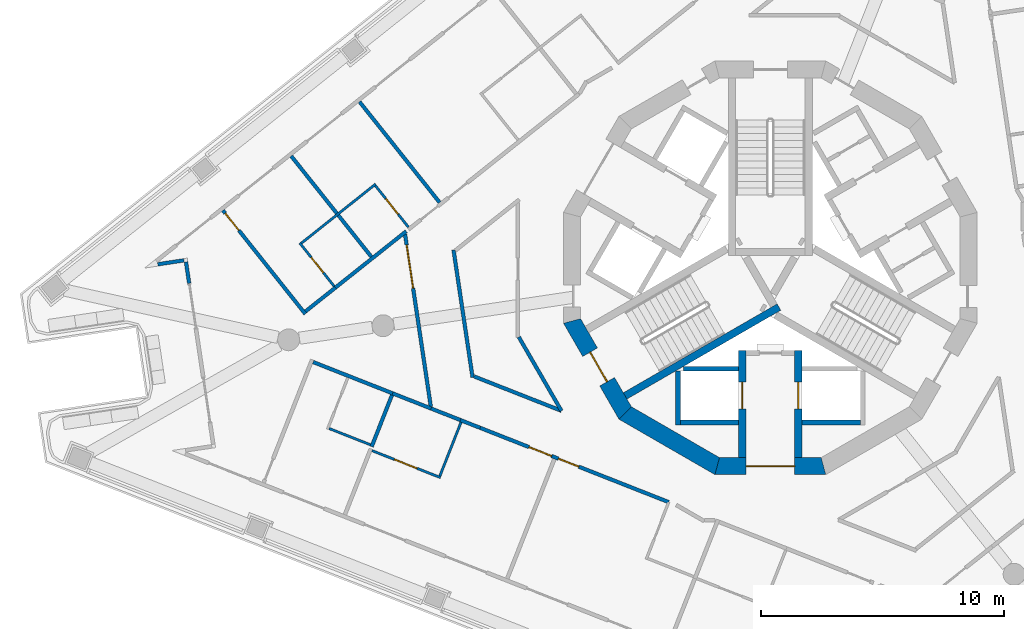
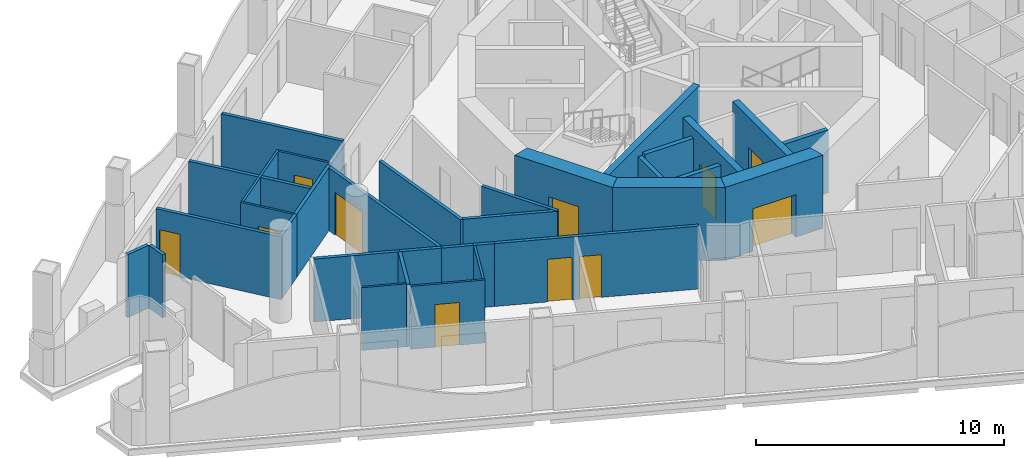
# One storey, part 3 of 16: 33 walls, 11 doors, 11 openings.
"""IFC4 building model written with IfcOpenShell, lengths in metres."""

from ifc_helpers import new_model, si_unit, direction, frame, frame_2d, origin, place, context, subcontext, project, spatial, polyline, rectangle, outline, extrude, material, layer, layer_set, type_object, element, fill, save


model = new_model("IFC4")

# Units and contexts
model_context = context("Model", 3, precision=1e-05, world=origin(), true_north=direction((0.0, 1.0)))
body_context = subcontext(model_context, "Body", "Model", "MODEL_VIEW")
ifc_project = project(units=[si_unit("LENGTHUNIT", "METRE"), si_unit("AREAUNIT", "SQUARE_METRE"), si_unit("VOLUMEUNIT", "CUBIC_METRE"), si_unit("PLANEANGLEUNIT", "RADIAN"), si_unit("MASSUNIT", "GRAM", prefix="KILO")], contexts=[model_context])

# Site, building, storey
site_placement = place(None, origin())
site = spatial("IfcSite", under=ifc_project, at=site_placement, CompositionType="ELEMENT")
building_placement = place(site_placement, origin())
building = spatial("IfcBuilding", under=site, at=building_placement, Name="Trine Commons Tower", CompositionType="ELEMENT")
storey_placement = place(building_placement, frame((0.0, 0.0, 226.800048828125)))
storey = spatial("IfcBuildingStorey", under=building, at=storey_placement, Name="L59", CompositionType="ELEMENT", Elevation=226.800048828125)

# Walls
ifc_material_1 = material(Name="Aluminium-framed insulated wall panel", Category="aluminium")
ifc_layer_1 = layer(ifc_material_1, 0.14990234375)
ifc_layer_set_1 = layer_set([ifc_layer_1], Name="Aluminium-framed insulated wall panel")
wall_type_1 = type_object("IfcWallType", Name="Glazed frame wall 150, EI 60", PredefinedType="SOLIDWALL", material=ifc_layer_set_1)
wall_1_placement = place(storey_placement, frame((56.115966796875, 61.86279296875, 0.0), z_axis=(0.0, 0.0, 1.0), x_axis=(-0.147946480694, 0.988995368468, 0.0)))
element("IfcWall", 1, at=wall_1_placement, inside=storey, type_object=wall_type_1, Name="Glazed frame wall P3.5", PredefinedType="SOLIDWALL", context=body_context, shape_type="SweptSolid", body=[
    extrude(outline(polyline([(0.889892578125, 0.074951171875), (0.0, 0.074951171875), (0.0, -0.074951171875), (0.889892578125, -0.074951171875), (0.889892578125, 0.074951171875)])), origin(), (0.0, 0.0, 1.0), 3.099853515625),
])
wall_2_placement = place(storey_placement, frame((56.0078125, 62.822265625, 0.0), z_axis=(0.0, 0.0, 1.0), x_axis=(-0.98902141065, -0.147772288596, 0.0)))
element("IfcWall", 2, at=wall_2_placement, inside=storey, type_object=wall_type_1, Name="Glazed frame wall R12", PredefinedType="SOLIDWALL", context=body_context, shape_type="SweptSolid", body=[
    extrude(outline(polyline([(0.110107421875, 0.074951171875), (0.110107421875, -0.074951171875), (1.19580078125, -0.074951171875), (1.19580078125, 0.074951171875), (0.110107421875, 0.074951171875)])), origin(), (0.0, 0.0, 1.0), 3.099853515625),
])

# Wall, opening, door
ifc_material_2 = material(Name="Concrete C60/75", Category="concrete")
ifc_layer_2 = layer(ifc_material_2, 0.300048828125)
ifc_layer_set_2 = layer_set([ifc_layer_2], Name="Concrete C60/75")
wall_type_2 = type_object("IfcWallType", Name="RC shear wall 300 mm, C60/75", PredefinedType="SHEAR", material=ifc_layer_set_2)
wall_3_placement = place(storey_placement, frame((78.85009765625, 59.10009765625, 0.0), z_axis=(0.0, 0.0, 1.0), x_axis=(0.0, -1.0, 0.0)))
wall_3 = element("IfcWall", 3, at=wall_3_placement, inside=storey, type_object=wall_type_2, Name="Core cross wall SWC-03 L59", PredefinedType="SHEAR", context=body_context, shape_type="SweptSolid", body=[
    extrude(rectangle(XDim=4.400146484375, YDim=0.300048828125, at=frame_2d((2.2001953125, 0.0))), origin(), (0.0, 0.0, 1.0), 3.599853515625),
])
opening_1_placement = place(wall_3_placement, frame((1.300048828125, 0.0, 0.0)))
opening_1 = element("IfcOpeningElement", 4, at=opening_1_placement, cuts=wall_3, Name="Opening LD10", PredefinedType="OPENING", context=body_context, shape_type="SweptSolid", body=[
    extrude(rectangle(XDim=1.10009765625, YDim=2.10009765625, at=frame_2d((0.550048828125, 1.050048828125))), frame((0.0, 0.159912109375, 0.0), z_axis=(0.0, -1.0, 0.0), x_axis=(1.0, 0.0, 0.0)), (0.0, 0.0, 1.0), 0.320068359375),
])
ifc_material_3 = material(Name="Stainless steel sliding door leaves", Category="steel")
door_type_1 = type_object("IfcDoorType", Name="Lift landing door, centre-opening sliding 1100 x 2100, FD90", OperationType="DOUBLE_DOOR_SLIDING", PredefinedType="DOOR", material=ifc_material_3)
door_1_placement = place(opening_1_placement, origin())
door_1 = element("IfcDoor", 5, at=door_1_placement, inside=storey, type_object=door_type_1, Name="Lift landing door FF2 L59", OperationType="DOUBLE_DOOR_SLIDING", OverallHeight=2.10009765625, OverallWidth=1.10009765625, PredefinedType="DOOR", context=body_context, shape_type="SweptSolid", body=[
    extrude(rectangle(XDim=1.10009765625, YDim=2.10009765625, at=frame_2d((0.550048828125, 1.050048828125))), frame((0.0, 0.02490234375, 0.0), z_axis=(0.0, -1.0, 0.0), x_axis=(1.0, 0.0, 0.0)), (0.0, 0.0, 1.0), 0.050048828125),
])
fill(opening_1, door_1)

wall_4_placement = place(storey_placement, frame((81.14990234375, 59.10009765625, 0.0), z_axis=(0.0, 0.0, 1.0), x_axis=(0.0, -1.0, 0.0)))
wall_4 = element("IfcWall", 6, at=wall_4_placement, inside=storey, type_object=wall_type_2, Name="Core cross wall SWC-04 L59", PredefinedType="SHEAR", context=body_context, shape_type="SweptSolid", body=[
    extrude(rectangle(XDim=4.400146484375, YDim=0.300048828125, at=frame_2d((2.2001953125, 0.0))), origin(), (0.0, 0.0, 1.0), 3.599853515625),
])
opening_2_placement = place(wall_4_placement, frame((1.300048828125, 0.0, 0.0)))
opening_2 = element("IfcOpeningElement", 7, at=opening_2_placement, cuts=wall_4, Name="Opening LD9", PredefinedType="OPENING", context=body_context, shape_type="SweptSolid", body=[
    extrude(rectangle(XDim=1.10009765625, YDim=2.10009765625, at=frame_2d((0.550048828125, 1.050048828125))), frame((0.0, 0.159912109375, 0.0), z_axis=(0.0, -1.0, 0.0), x_axis=(1.0, 0.0, 0.0)), (0.0, 0.0, 1.0), 0.320068359375),
])
door_2_placement = place(opening_2_placement, origin())
door_2 = element("IfcDoor", 8, at=door_2_placement, inside=storey, type_object=door_type_1, Name="Lift landing door FF1 L59", OperationType="DOUBLE_DOOR_SLIDING", OverallHeight=2.10009765625, OverallWidth=1.10009765625, PredefinedType="DOOR", context=body_context, shape_type="SweptSolid", body=[
    extrude(rectangle(XDim=1.10009765625, YDim=2.10009765625, at=frame_2d((0.550048828125, 1.050048828125))), frame((0.0, 0.02490234375, 0.0), z_axis=(0.0, -1.0, 0.0), x_axis=(1.0, 0.0, 0.0)), (0.0, 0.0, 1.0), 0.050048828125),
])
fill(opening_2, door_2)

# Wall
wall_5_placement = place(storey_placement, frame((80.35400390625, 60.885986328125, 0.0), z_axis=(0.0, 0.0, 1.0), x_axis=(-0.866032430508, -0.49998782916, 0.0)))
element("IfcWall", 9, at=wall_5_placement, inside=storey, type_object=wall_type_2, Name="Core cross wall SWC-14 L59", PredefinedType="SHEAR", context=body_context, shape_type="SweptSolid", body=[
    extrude(rectangle(XDim=7.300048828125, YDim=0.300048828125, at=frame_2d((3.64990234375, 0.0))), origin(), (0.0, 0.0, 1.0), 3.599853515625),
])

# Wall, opening, door
ifc_layer_3 = layer(ifc_material_2, 0.699951171875)
ifc_layer_set_3 = layer_set([ifc_layer_3], Name="Concrete C60/75")
wall_type_3 = type_object("IfcWallType", Name="RC shear wall 700 mm, C60/75", PredefinedType="SHEAR", material=ifc_layer_set_3)
wall_6_placement = place(storey_placement, frame((71.802978515625, 60.3974609375, 0.0), z_axis=(0.0, 0.0, 1.0), x_axis=(0.499983800959, -0.866034756103, 0.0)))
wall_6 = element("IfcWall", 10, at=wall_6_placement, inside=storey, type_object=wall_type_3, Name="Core wall CWF-08 L59", PredefinedType="SHEAR", context=body_context, shape_type="SweptSolid", body=[
    extrude(outline(polyline([(0.0, -0.35009765625), (4.55517578125, -0.35009765625), (4.36767578125, 0.35009765625), (0.1875, 0.35009765625), (0.0, -0.35009765625)])), origin(), (0.0, 0.0, 1.0), 3.599853515625),
])
opening_3_placement = place(wall_6_placement, frame((1.577392578125, 0.0, 0.0)))
opening_3 = element("IfcOpeningElement", 11, at=opening_3_placement, cuts=wall_6, Name="Opening K15.02", PredefinedType="OPENING", context=body_context, shape_type="SweptSolid", body=[
    extrude(rectangle(XDim=1.39990234375, YDim=2.10009765625, at=frame_2d((0.699951171875, 1.050048828125))), frame((0.0, 0.35986328125, 0.0), z_axis=(0.0, -1.0, 0.0), x_axis=(1.0, 0.0, 0.0)), (0.0, 0.0, 1.0), 0.719970703125),
])
ifc_material_4 = material(Name="Steel door leaves, fire-rated", Category="steel")
door_type_2 = type_object("IfcDoorType", Name="Stair door, double leaf 1400 x 2100, FD90", OperationType="DOUBLE_DOOR_SINGLE_SWING", PredefinedType="DOOR", material=ifc_material_4)
door_3_placement = place(opening_3_placement, origin())
door_3 = element("IfcDoor", 12, at=door_3_placement, inside=storey, type_object=door_type_2, Name="Stair door to Exit stair ST2C L59", OperationType="DOUBLE_DOOR_SINGLE_SWING", OverallHeight=2.10009765625, OverallWidth=1.39990234375, PredefinedType="DOOR", context=body_context, shape_type="SweptSolid", body=[
    extrude(rectangle(XDim=1.39990234375, YDim=2.10009765625, at=frame_2d((0.699951171875, 1.050048828125))), frame((0.0, 0.02490234375, 0.0), z_axis=(0.0, -1.0, 0.0), x_axis=(1.0, 0.0, 0.0)), (0.0, 0.0, 1.0), 0.050048828125),
])
fill(opening_3, door_3)

# Wall
wall_7_placement = place(storey_placement, frame((73.952392578125, 56.58056640625, 0.0), z_axis=(0.0, 0.0, 1.0), x_axis=(0.866034756103, -0.499983800959, 0.0)))
element("IfcWall", 13, at=wall_7_placement, inside=storey, type_object=wall_type_3, Name="Core wall CWF-09 L59", PredefinedType="SHEAR", context=body_context, shape_type="SweptSolid", body=[
    extrude(outline(polyline([(0.0, -0.35009765625), (4.55517578125, -0.35009765625), (4.36767578125, 0.35009765625), (0.1875, 0.35009765625), (0.0, -0.35009765625)])), origin(), (0.0, 0.0, 1.0), 3.599853515625),
])

# Wall, opening, door
wall_8_placement = place(storey_placement, frame((77.722412109375, 54.349853515625, 0.0), z_axis=(0.0, 0.0, 1.0), x_axis=(1.0, 0.0, 0.0)))
wall_8 = element("IfcWall", 14, at=wall_8_placement, inside=storey, type_object=wall_type_3, Name="Core wall CWF-10 L59", PredefinedType="SHEAR", context=body_context, shape_type="SweptSolid", body=[
    extrude(outline(polyline([(0.0, -0.35009765625), (4.55517578125, -0.35009765625), (4.36767578125, 0.35009765625), (0.1875, 0.35009765625), (0.0, -0.35009765625)])), origin(), (0.0, 0.0, 1.0), 3.599853515625),
])
opening_4_placement = place(wall_8_placement, frame((1.277587890625, 0.0, 0.0)))
opening_4 = element("IfcOpeningElement", 15, at=opening_4_placement, cuts=wall_8, Name="Opening K15.08", PredefinedType="OPENING", context=body_context, shape_type="SweptSolid", body=[
    extrude(rectangle(XDim=2.0, YDim=2.10009765625, at=frame_2d((1.0, 1.050048828125))), frame((0.0, 0.35986328125, 0.0), z_axis=(0.0, -1.0, 0.0), x_axis=(1.0, 0.0, 0.0)), (0.0, 0.0, 1.0), 0.719970703125),
])
door_type_3 = type_object("IfcDoorType", Name="Lobby door, double leaf 2000 x 2100, FD60", OperationType="DOUBLE_DOOR_SINGLE_SWING", PredefinedType="DOOR", material=ifc_material_4)
door_4_placement = place(opening_4_placement, origin())
door_4 = element("IfcDoor", 16, at=door_4_placement, inside=storey, type_object=door_type_3, Name="Lobby door, Service and firefighting lobby L59", OperationType="DOUBLE_DOOR_SINGLE_SWING", OverallHeight=2.10009765625, OverallWidth=2.0, PredefinedType="DOOR", context=body_context, shape_type="SweptSolid", body=[
    extrude(rectangle(XDim=2.0, YDim=2.10009765625, at=frame_2d((1.0, 1.050048828125))), frame((0.0, 0.02490234375, 0.0), z_axis=(0.0, -1.0, 0.0), x_axis=(1.0, 0.0, 0.0)), (0.0, 0.0, 1.0), 0.050048828125),
])
fill(opening_4, door_4)

# Walls
ifc_material_5 = material(Name="Fire-rated gypsum shaft wall system")
ifc_layer_4 = layer(ifc_material_5, 0.199951171875)
ifc_layer_set_4 = layer_set([ifc_layer_4], Name="Fire-rated gypsum shaft wall system")
wall_type_4 = type_object("IfcWallType", Name="Shaft wall 200 mm, EI 120", PredefinedType="PARTITIONING", material=ifc_layer_set_4)
wall_9_placement = place(storey_placement, frame((76.199951171875, 58.257080078125, 0.0), z_axis=(0.0, 0.0, 1.0), x_axis=(0.0, -1.0, 0.0)))
element("IfcWall", 17, at=wall_9_placement, inside=storey, type_object=wall_type_4, Name="Shaft wall L59", PredefinedType="PARTITIONING", context=body_context, shape_type="SweptSolid", body=[
    extrude(rectangle(XDim=2.20703125, YDim=0.199951171875, at=frame_2d((1.103515625, 0.0))), origin(), (0.0, 0.0, 1.0), 3.099853515625),
])
wall_10_placement = place(storey_placement, frame((78.699951171875, 56.14990234375, 0.0), z_axis=(0.0, 0.0, 1.0), x_axis=(-1.0, 0.0, 0.0)))
element("IfcWall", 18, at=wall_10_placement, inside=storey, type_object=wall_type_4, Name="Shaft wall L59", PredefinedType="PARTITIONING", context=body_context, shape_type="SweptSolid", body=[
    extrude(rectangle(XDim=2.39990234375, YDim=0.199951171875, at=frame_2d((1.199951171875, 0.0))), origin(), (0.0, 0.0, 1.0), 3.099853515625),
])
wall_11_placement = place(storey_placement, frame((78.699951171875, 58.35009765625, 0.0), z_axis=(0.0, 0.0, 1.0), x_axis=(-1.0, 0.0, 0.0)))
element("IfcWall", 19, at=wall_11_placement, inside=storey, type_object=wall_type_4, Name="Shaft wall L59", PredefinedType="PARTITIONING", context=body_context, shape_type="SweptSolid", body=[
    extrude(rectangle(XDim=2.264892578125, YDim=0.199951171875, at=frame_2d((1.13232421875, 0.0))), origin(), (0.0, 0.0, 1.0), 3.099853515625),
])
wall_12_placement = place(storey_placement, frame((81.300048828125, 56.14990234375, 0.0), z_axis=(0.0, 0.0, 1.0), x_axis=(1.0, 0.0, 0.0)))
element("IfcWall", 20, at=wall_12_placement, inside=storey, type_object=wall_type_4, Name="Shaft wall L59", PredefinedType="PARTITIONING", context=body_context, shape_type="SweptSolid", body=[
    extrude(rectangle(XDim=2.39990234375, YDim=0.199951171875, at=frame_2d((1.199951171875, 0.0))), origin(), (0.0, 0.0, 1.0), 3.099853515625),
])

# Wall, opening, door
ifc_material_6 = material(Name="Gypsum plasterboard on steel stud", Category="steel")
ifc_layer_5 = layer(ifc_material_6, 0.14990234375)
ifc_layer_set_5 = layer_set([ifc_layer_5], Name="Gypsum plasterboard on steel stud")
wall_type_5 = type_object("IfcWallType", Name="Unit and corridor wall 150 mm, EI 60", PredefinedType="PARTITIONING", material=ifc_layer_set_5)
wall_13_placement = place(storey_placement, frame((57.50390625, 64.858642578125, 0.0), z_axis=(0.0, 0.0, 1.0), x_axis=(0.622567332104, -0.782566238089, 0.0)))
wall_13 = element("IfcWall", 21, at=wall_13_placement, inside=storey, type_object=wall_type_5, Name="Partition 001", PredefinedType="PARTITIONING", context=body_context, shape_type="SweptSolid", body=[
    extrude(rectangle(XDim=5.435302734375, YDim=0.14990234375, at=frame_2d((2.7177734375, 0.0))), origin(), (0.0, 0.0, 1.0), 3.099853515625),
])
opening_5_placement = place(wall_13_placement, frame((0.14990234375, 0.0, 0.0)))
opening_5 = element("IfcOpeningElement", 22, at=opening_5_placement, cuts=wall_13, Name="Opening D-6C05", PredefinedType="OPENING", context=body_context, shape_type="SweptSolid", body=[
    extrude(rectangle(XDim=0.89990234375, YDim=2.10009765625, at=frame_2d((0.449951171875, 1.050048828125))), frame((0.0, 0.0849609375, 0.0), z_axis=(0.0, -1.0, 0.0), x_axis=(1.0, 0.0, 0.0)), (0.0, 0.0, 1.0), 0.169921875),
])
ifc_material_7 = material(Name="Timber fire door set", Category="wood")
door_type_4 = type_object("IfcDoorType", Name="Bedroom door 900 x 2100, FD30S", OperationType="NOTDEFINED", PredefinedType="DOOR", material=ifc_material_7)
door_5_placement = place(opening_5_placement, origin())
door_5 = element("IfcDoor", 23, at=door_5_placement, inside=storey, type_object=door_type_4, Name="Door D-6C05", OperationType="SINGLE_SWING_LEFT", OverallHeight=2.10009765625, OverallWidth=0.89990234375, PredefinedType="DOOR", context=body_context, shape_type="SweptSolid", body=[
    extrude(rectangle(XDim=0.89990234375, YDim=2.10009765625, at=frame_2d((0.449951171875, 1.050048828125))), frame((0.0, 0.02490234375, 0.0), z_axis=(0.0, -1.0, 0.0), x_axis=(1.0, 0.0, 0.0)), (0.0, 0.0, 1.0), 0.050048828125),
])
fill(opening_5, door_5)

# Walls
wall_14_placement = place(storey_placement, frame((60.309814453125, 67.091796875, 0.0), z_axis=(0.0, 0.0, 1.0), x_axis=(0.622585933561, -0.782551439416, 0.0)))
element("IfcWall", 24, at=wall_14_placement, inside=storey, type_object=wall_type_5, Name="Partition 003", PredefinedType="PARTITIONING", context=body_context, shape_type="SweptSolid", body=[
    extrude(rectangle(XDim=5.28515625, YDim=0.14990234375, at=frame_2d((2.642578125, 0.0))), origin(), (0.0, 0.0, 1.0), 3.099853515625),
])
wall_15_placement = place(storey_placement, frame((60.899658203125, 60.710693359375, 0.0), z_axis=(0.0, 0.0, 1.0), x_axis=(0.782464556825, 0.622695123886, 0.0)))
element("IfcWall", 25, at=wall_15_placement, inside=storey, type_object=wall_type_5, Name="Partition 006", PredefinedType="PARTITIONING", context=body_context, shape_type="SweptSolid", body=[
    extrude(rectangle(XDim=1.564697265625, YDim=0.14990234375, at=frame_2d((0.7822265625, 0.0))), origin(), (0.0, 0.0, 1.0), 3.099853515625),
])
wall_16_placement = place(storey_placement, frame((61.210693359375, 58.62646484375, 0.0), z_axis=(0.0, 0.0, 1.0), x_axis=(0.930481659578, -0.36633847899, 0.0)))
element("IfcWall", 26, at=wall_16_placement, inside=storey, type_object=wall_type_5, Name="Partition 007", PredefinedType="PARTITIONING", context=body_context, shape_type="SweptSolid", body=[
    extrude(rectangle(XDim=3.511474609375, YDim=0.14990234375, at=frame_2d((1.755859375, 0.0))), origin(), (0.0, 0.0, 1.0), 3.099853515625),
])
wall_17_placement = place(storey_placement, frame((62.078857421875, 61.64990234375, 0.0), z_axis=(0.0, 0.0, 1.0), x_axis=(0.782650439996, 0.622461475735, 0.0)))
element("IfcWall", 27, at=wall_17_placement, inside=storey, type_object=wall_type_5, Name="Partition 010", PredefinedType="PARTITIONING", context=body_context, shape_type="SweptSolid", body=[
    extrude(rectangle(XDim=3.776611328125, YDim=0.14990234375, at=frame_2d((1.88818359375, 0.0))), origin(), (0.0, 0.0, 1.0), 3.099853515625),
])
wall_18_placement = place(storey_placement, frame((63.116943359375, 69.32373046875, 0.0), z_axis=(0.0, 0.0, 1.0), x_axis=(0.622444463897, -0.782663969634, 0.0)))
element("IfcWall", 28, at=wall_18_placement, inside=storey, type_object=wall_type_5, Name="Partition 012", PredefinedType="PARTITIONING", context=body_context, shape_type="SweptSolid", body=[
    extrude(rectangle(XDim=5.284423828125, YDim=0.14990234375, at=frame_2d((2.64208984375, 0.0))), origin(), (0.0, 0.0, 1.0), 3.099853515625),
])
wall_19_placement = place(storey_placement, frame((63.61474609375, 55.1494140625, 0.0), z_axis=(0.0, 0.0, 1.0), x_axis=(0.366603181912, 0.930377400312, 0.0)))
element("IfcWall", 29, at=wall_19_placement, inside=storey, type_object=wall_type_5, Name="Partition 014", PredefinedType="PARTITIONING", context=body_context, shape_type="SweptSolid", body=[
    extrude(rectangle(XDim=2.279541015625, YDim=0.14990234375, at=frame_2d((1.1396484375, 0.0))), origin(), (0.0, 0.0, 1.0), 3.099853515625),
])
wall_20_placement = place(storey_placement, frame((64.47802734375, 57.340087890625, 0.0), z_axis=(0.0, 0.0, 1.0), x_axis=(0.930289512217, -0.366826148822, 0.0)))
element("IfcWall", 30, at=wall_20_placement, inside=storey, type_object=wall_type_5, Name="Partition 016", PredefinedType="PARTITIONING", context=body_context, shape_type="SweptSolid", body=[
    extrude(rectangle(XDim=1.698486328125, YDim=0.14990234375, at=frame_2d((0.84912109375, 0.0))), origin(), (0.0, 0.0, 1.0), 3.099853515625),
])

# Wall, opening, door
wall_21_placement = place(storey_placement, frame((64.987060546875, 63.8798828125, 0.0), z_axis=(0.0, 0.0, 1.0), x_axis=(0.147865724858, -0.98900744558, 0.0)))
wall_21 = element("IfcWall", 31, at=wall_21_placement, inside=storey, type_object=wall_type_5, Name="Partition 017", PredefinedType="PARTITIONING", context=body_context, shape_type="SweptSolid", body=[
    extrude(rectangle(XDim=7.16748046875, YDim=0.14990234375, at=frame_2d((3.583740234375, 0.0))), origin(), (0.0, 0.0, 1.0), 3.099853515625),
])
opening_6_placement = place(wall_21_placement, frame((0.44677734375, 0.0, 0.0)))
opening_6 = element("IfcOpeningElement", 32, at=opening_6_placement, cuts=wall_21, Name="Opening D-6C03", PredefinedType="OPENING", context=body_context, shape_type="SweptSolid", body=[
    extrude(rectangle(XDim=1.800048828125, YDim=2.10009765625, at=frame_2d((0.89990234375, 1.050048828125))), frame((0.0, 0.0849609375, 0.0), z_axis=(0.0, -1.0, 0.0), x_axis=(1.0, 0.0, 0.0)), (0.0, 0.0, 1.0), 0.169921875),
])
door_type_5 = type_object("IfcDoorType", Name="Cluster entrance door 1800 x 2100, double leaf, FD30S", OperationType="DOUBLE_DOOR_DOUBLE_SWING", PredefinedType="DOOR", material=ifc_material_7)
door_6_placement = place(opening_6_placement, frame((1.800048828125, 0.0, 0.0), z_axis=(0.0, 0.0, 1.0), x_axis=(-1.0, 0.0, 0.0)))
door_6 = element("IfcDoor", 33, at=door_6_placement, inside=storey, type_object=door_type_5, Name="Door D-6C03", OperationType="DOUBLE_DOOR_DOUBLE_SWING", OverallHeight=2.10009765625, OverallWidth=1.800048828125, PredefinedType="DOOR", context=body_context, shape_type="SweptSolid", body=[
    extrude(rectangle(XDim=1.800048828125, YDim=2.10009765625, at=frame_2d((0.89990234375, 1.050048828125))), frame((0.0, 0.02490234375, 0.0), z_axis=(0.0, -1.0, 0.0), x_axis=(1.0, 0.0, 0.0)), (0.0, 0.0, 1.0), 0.050048828125),
])
fill(opening_6, door_6)

# Walls
wall_22_placement = place(storey_placement, frame((66.05810546875, 56.717041015625, 0.0), z_axis=(0.0, 0.0, 1.0), x_axis=(0.930574001854, -0.36610384739, 0.0)))
element("IfcWall", 34, at=wall_22_placement, inside=storey, type_object=wall_type_5, Name="Partition 020", PredefinedType="PARTITIONING", context=body_context, shape_type="SweptSolid", body=[
    extrude(rectangle(XDim=1.35498046875, YDim=0.14990234375, at=frame_2d((0.677490234375, 0.0))), origin(), (0.0, 0.0, 1.0), 3.099853515625),
])
wall_23_placement = place(storey_placement, frame((66.97998046875, 63.234130859375, 0.0), z_axis=(0.0, 0.0, 1.0), x_axis=(0.14773017043, -0.989027702719, 0.0)))
element("IfcWall", 35, at=wall_23_placement, inside=storey, type_object=wall_type_5, Name="Partition 022", PredefinedType="PARTITIONING", context=body_context, shape_type="SweptSolid", body=[
    extrude(rectangle(XDim=5.301513671875, YDim=0.14990234375, at=frame_2d((2.65087890625, 0.0))), origin(), (0.0, 0.0, 1.0), 3.099853515625),
])
wall_24_placement = place(storey_placement, frame((67.264404296875, 56.2412109375, 0.0), z_axis=(0.0, 0.0, 1.0), x_axis=(0.9308062045, -0.365513077281, 0.0)))
element("IfcWall", 36, at=wall_24_placement, inside=storey, type_object=wall_type_5, Name="Partition 024", PredefinedType="PARTITIONING", context=body_context, shape_type="SweptSolid", body=[
    extrude(rectangle(XDim=0.86767578125, YDim=0.14990234375, at=frame_2d((0.433837890625, 0.0))), origin(), (0.0, 0.0, 1.0), 3.099853515625),
])
wall_25_placement = place(storey_placement, frame((67.82177734375, 58.03759765625, 0.0), z_axis=(0.0, 0.0, 1.0), x_axis=(0.930426693307, -0.366478059892, 0.0)))
element("IfcWall", 37, at=wall_25_placement, inside=storey, type_object=wall_type_5, Name="Partition 025", PredefinedType="PARTITIONING", context=body_context, shape_type="SweptSolid", body=[
    extrude(rectangle(XDim=3.85986328125, YDim=0.14990234375, at=frame_2d((1.929931640625, 0.0))), origin(), (0.0, 0.0, 1.0), 3.099853515625),
])

# Wall, openings, doors
wall_26_placement = place(storey_placement, frame((68.072021484375, 55.924072265625, 0.0), z_axis=(0.0, 0.0, 1.0), x_axis=(0.930399311856, -0.366547569216, 0.0)))
wall_26 = element("IfcWall", 38, at=wall_26_placement, inside=storey, type_object=wall_type_5, Name="Partition 026", PredefinedType="PARTITIONING", context=body_context, shape_type="SweptSolid", body=[
    extrude(rectangle(XDim=8.3349609375, YDim=0.14990234375, at=frame_2d((4.16748046875, 0.0))), origin(), (0.0, 0.0, 1.0), 3.099853515625),
])
opening_7_placement = place(wall_26_placement, frame((3.45947265625, 0.0, 0.0)))
opening_7 = element("IfcOpeningElement", 39, at=opening_7_placement, cuts=wall_26, Name="Opening D-6C23", PredefinedType="OPENING", context=body_context, shape_type="SweptSolid", body=[
    extrude(rectangle(XDim=0.89990234375, YDim=2.10009765625, at=frame_2d((0.449951171875, 1.050048828125))), frame((0.0, 0.0849609375, 0.0), z_axis=(0.0, -1.0, 0.0), x_axis=(1.0, 0.0, 0.0)), (0.0, 0.0, 1.0), 0.169921875),
])
opening_8_placement = place(wall_26_placement, frame((2.159423828125, 0.0, 0.0)))
opening_8 = element("IfcOpeningElement", 40, at=opening_8_placement, cuts=wall_26, Name="Opening D-6C24", PredefinedType="OPENING", context=body_context, shape_type="SweptSolid", body=[
    extrude(rectangle(XDim=1.0, YDim=2.10009765625, at=frame_2d((0.5, 1.050048828125))), frame((0.0, 0.0849609375, 0.0), z_axis=(0.0, -1.0, 0.0), x_axis=(1.0, 0.0, 0.0)), (0.0, 0.0, 1.0), 0.169921875),
])
door_type_6 = type_object("IfcDoorType", Name="Bedroom door 1000 x 2100, FD30S", OperationType="NOTDEFINED", PredefinedType="DOOR", material=ifc_material_7)
door_7_placement = place(opening_8_placement, frame((1.0, 0.0, 0.0), z_axis=(0.0, 0.0, 1.0), x_axis=(-1.0, 0.0, 0.0)))
door_7 = element("IfcDoor", 41, at=door_7_placement, inside=storey, type_object=door_type_6, Name="Door D-6C24", OperationType="SINGLE_SWING_RIGHT", OverallHeight=2.10009765625, OverallWidth=1.0, PredefinedType="DOOR", context=body_context, shape_type="SweptSolid", body=[
    extrude(rectangle(XDim=1.0, YDim=2.10009765625, at=frame_2d((0.5, 1.050048828125))), frame((0.0, 0.02490234375, 0.0), z_axis=(0.0, -1.0, 0.0), x_axis=(1.0, 0.0, 0.0)), (0.0, 0.0, 1.0), 0.050048828125),
])
fill(opening_8, door_7)
door_8_placement = place(opening_7_placement, frame((0.89990234375, 0.0, 0.0), z_axis=(0.0, 0.0, 1.0), x_axis=(-1.0, 0.0, 0.0)))
door_8 = element("IfcDoor", 42, at=door_8_placement, inside=storey, type_object=door_type_4, Name="Door D-6C23", OperationType="SINGLE_SWING_RIGHT", OverallHeight=2.10009765625, OverallWidth=0.89990234375, PredefinedType="DOOR", context=body_context, shape_type="SweptSolid", body=[
    extrude(rectangle(XDim=0.89990234375, YDim=2.10009765625, at=frame_2d((0.449951171875, 1.050048828125))), frame((0.0, 0.02490234375, 0.0), z_axis=(0.0, -1.0, 0.0), x_axis=(1.0, 0.0, 0.0)), (0.0, 0.0, 1.0), 0.050048828125),
])
fill(opening_7, door_8)

# Wall
wall_27_placement = place(storey_placement, frame((69.66259765625, 59.655029296875, 0.0), z_axis=(0.0, 0.0, 1.0), x_axis=(0.50005009493, -0.865996479531, 0.0)))
element("IfcWall", 43, at=wall_27_placement, inside=storey, type_object=wall_type_5, Name="Partition 032", PredefinedType="PARTITIONING", context=body_context, shape_type="SweptSolid", body=[
    extrude(rectangle(XDim=3.504638671875, YDim=0.14990234375, at=frame_2d((1.75244140625, 0.0))), origin(), (0.0, 0.0, 1.0), 3.099853515625),
])

# Wall, opening, door
ifc_layer_6 = layer(ifc_material_6, 0.10009765625)
ifc_layer_set_6 = layer_set([ifc_layer_6], Name="Gypsum plasterboard on steel stud")
wall_type_6 = type_object("IfcWallType", Name="Unit partition 100 mm, no rating", PredefinedType="PARTITIONING", material=ifc_layer_set_6)
wall_28_placement = place(storey_placement, frame((60.657958984375, 63.522216796875, 0.0), z_axis=(0.0, 0.0, 1.0), x_axis=(0.622507134747, -0.782614124067, 0.0)))
wall_28 = element("IfcWall", 44, at=wall_28_placement, inside=storey, type_object=wall_type_6, Name="Partition 004", PredefinedType="PARTITIONING", context=body_context, shape_type="SweptSolid", body=[
    extrude(rectangle(XDim=2.275146484375, YDim=0.10009765625, at=frame_2d((1.1376953125, 0.0))), origin(), (0.0, 0.0, 1.0), 3.099853515625),
])
opening_9_placement = place(wall_28_placement, frame((0.7626953125, 0.0, 0.0)))
opening_9 = element("IfcOpeningElement", 45, at=opening_9_placement, cuts=wall_28, Name="Opening D-6C29", PredefinedType="OPENING", context=body_context, shape_type="SweptSolid", body=[
    extrude(rectangle(XDim=0.800048828125, YDim=2.10009765625, at=frame_2d((0.39990234375, 1.050048828125))), frame((0.0, 0.06005859375, 0.0), z_axis=(0.0, -1.0, 0.0), x_axis=(1.0, 0.0, 0.0)), (0.0, 0.0, 1.0), 0.1201171875),
])
ifc_material_8 = material(Name="Painted timber", Category="wood")
door_type_7 = type_object("IfcDoorType", Name="Internal door 800 x 2100, NOT RATED", OperationType="NOTDEFINED", PredefinedType="DOOR", material=ifc_material_8)
door_9_placement = place(opening_9_placement, frame((0.800048828125, 0.0, 0.0), z_axis=(0.0, 0.0, 1.0), x_axis=(-1.0, 0.0, 0.0)))
door_9 = element("IfcDoor", 46, at=door_9_placement, inside=storey, type_object=door_type_7, Name="Door D-6C29", OperationType="SINGLE_SWING_LEFT", OverallHeight=2.10009765625, OverallWidth=0.800048828125, PredefinedType="DOOR", context=body_context, shape_type="SweptSolid", body=[
    extrude(rectangle(XDim=0.800048828125, YDim=2.10009765625, at=frame_2d((0.39990234375, 1.050048828125))), frame((0.0, 0.02490234375, 0.0), z_axis=(0.0, -1.0, 0.0), x_axis=(1.0, 0.0, 0.0)), (0.0, 0.0, 1.0), 0.050048828125),
])
fill(opening_9, door_9)

# Walls
wall_29_placement = place(storey_placement, frame((60.72802734375, 63.51416015625, 0.0), z_axis=(0.0, 0.0, 1.0), x_axis=(0.782569861825, 0.622562777046, 0.0)))
element("IfcWall", 47, at=wall_29_placement, inside=storey, type_object=wall_type_6, Name="Partition 005", PredefinedType="PARTITIONING", context=body_context, shape_type="SweptSolid", body=[
    extrude(rectangle(XDim=3.89990234375, YDim=0.10009765625, at=frame_2d((1.949951171875, 0.0))), origin(), (0.0, 0.0, 1.0), 3.099853515625),
])
wall_30_placement = place(storey_placement, frame((61.866455078125, 55.895751953125, 0.0), z_axis=(0.0, 0.0, 1.0), x_axis=(0.930592094338, -0.366057856022, 0.0)))
element("IfcWall", 48, at=wall_30_placement, inside=storey, type_object=wall_type_6, Name="Partition 009", PredefinedType="PARTITIONING", context=body_context, shape_type="SweptSolid", body=[
    extrude(rectangle(XDim=1.825439453125, YDim=0.10009765625, at=frame_2d((0.91259765625, 0.0))), origin(), (0.0, 0.0, 1.0), 3.099853515625),
])

# Wall, opening, door
wall_31_placement = place(storey_placement, frame((63.630859375, 54.985595703125, 0.0), z_axis=(0.0, 0.0, 1.0), x_axis=(0.930510944634, -0.36626408767, 0.0)))
wall_31 = element("IfcWall", 49, at=wall_31_placement, inside=storey, type_object=wall_type_6, Name="Partition 013", PredefinedType="PARTITIONING", context=body_context, shape_type="SweptSolid", body=[
    extrude(rectangle(XDim=3.02490234375, YDim=0.10009765625, at=frame_2d((1.512451171875, 0.0))), origin(), (0.0, 0.0, 1.0), 3.099853515625),
])
opening_10_placement = place(wall_31_placement, frame((0.9873046875, 0.0, 0.0)))
opening_10 = element("IfcOpeningElement", 50, at=opening_10_placement, cuts=wall_31, Name="Opening D-6C47", PredefinedType="OPENING", context=body_context, shape_type="SweptSolid", body=[
    extrude(rectangle(XDim=1.0, YDim=2.10009765625, at=frame_2d((0.5, 1.050048828125))), frame((0.0, 0.06005859375, 0.0), z_axis=(0.0, -1.0, 0.0), x_axis=(1.0, 0.0, 0.0)), (0.0, 0.0, 1.0), 0.1201171875),
])
door_type_8 = type_object("IfcDoorType", Name="Internal door 1000 x 2100, NOT RATED", OperationType="NOTDEFINED", PredefinedType="DOOR", material=ifc_material_8)
door_10_placement = place(opening_10_placement, frame((1.0, 0.0, 0.0), z_axis=(0.0, 0.0, 1.0), x_axis=(-1.0, 0.0, 0.0)))
door_10 = element("IfcDoor", 51, at=door_10_placement, inside=storey, type_object=door_type_8, Name="Door D-6C47", OperationType="SINGLE_SWING_RIGHT", OverallHeight=2.10009765625, OverallWidth=1.0, PredefinedType="DOOR", context=body_context, shape_type="SweptSolid", body=[
    extrude(rectangle(XDim=1.0, YDim=2.10009765625, at=frame_2d((0.5, 1.050048828125))), frame((0.0, 0.02490234375, 0.0), z_axis=(0.0, -1.0, 0.0), x_axis=(1.0, 0.0, 0.0)), (0.0, 0.0, 1.0), 0.050048828125),
])
fill(opening_10, door_10)

wall_32_placement = place(storey_placement, frame((63.772216796875, 65.871826171875, 0.0), z_axis=(0.0, 0.0, 1.0), x_axis=(0.622529815635, -0.782596082692, 0.0)))
wall_32 = element("IfcWall", 52, at=wall_32_placement, inside=storey, type_object=wall_type_6, Name="Partition 015", PredefinedType="PARTITIONING", context=body_context, shape_type="SweptSolid", body=[
    extrude(rectangle(XDim=2.175048828125, YDim=0.10009765625, at=frame_2d((1.08740234375, 0.0))), origin(), (0.0, 0.0, 1.0), 3.099853515625),
])
opening_11_placement = place(wall_32_placement, frame((0.6875, 0.0, 0.0)))
opening_11 = element("IfcOpeningElement", 53, at=opening_11_placement, cuts=wall_32, Name="Opening D-6C30", PredefinedType="OPENING", context=body_context, shape_type="SweptSolid", body=[
    extrude(rectangle(XDim=0.800048828125, YDim=2.10009765625, at=frame_2d((0.39990234375, 1.050048828125))), frame((0.0, 0.06005859375, 0.0), z_axis=(0.0, -1.0, 0.0), x_axis=(1.0, 0.0, 0.0)), (0.0, 0.0, 1.0), 0.1201171875),
])
door_11_placement = place(opening_11_placement, origin())
door_11 = element("IfcDoor", 54, at=door_11_placement, inside=storey, type_object=door_type_7, Name="Door D-6C30", OperationType="SINGLE_SWING_LEFT", OverallHeight=2.10009765625, OverallWidth=0.800048828125, PredefinedType="DOOR", context=body_context, shape_type="SweptSolid", body=[
    extrude(rectangle(XDim=0.800048828125, YDim=2.10009765625, at=frame_2d((0.39990234375, 1.050048828125))), frame((0.0, 0.02490234375, 0.0), z_axis=(0.0, -1.0, 0.0), x_axis=(1.0, 0.0, 0.0)), (0.0, 0.0, 1.0), 0.050048828125),
])
fill(opening_11, door_11)

# Wall
wall_33_placement = place(storey_placement, frame((66.417236328125, 53.9423828125, 0.0), z_axis=(0.0, 0.0, 1.0), x_axis=(0.366475978777, 0.930427513017, 0.0)))
element("IfcWall", 55, at=wall_33_placement, inside=storey, type_object=wall_type_6, Name="Partition 021", PredefinedType="PARTITIONING", context=body_context, shape_type="SweptSolid", body=[
    extrude(rectangle(XDim=2.375, YDim=0.10009765625, at=frame_2d((1.1875, 0.0))), origin(), (0.0, 0.0, 1.0), 3.099853515625),
])

save(model, "model.ifc")
